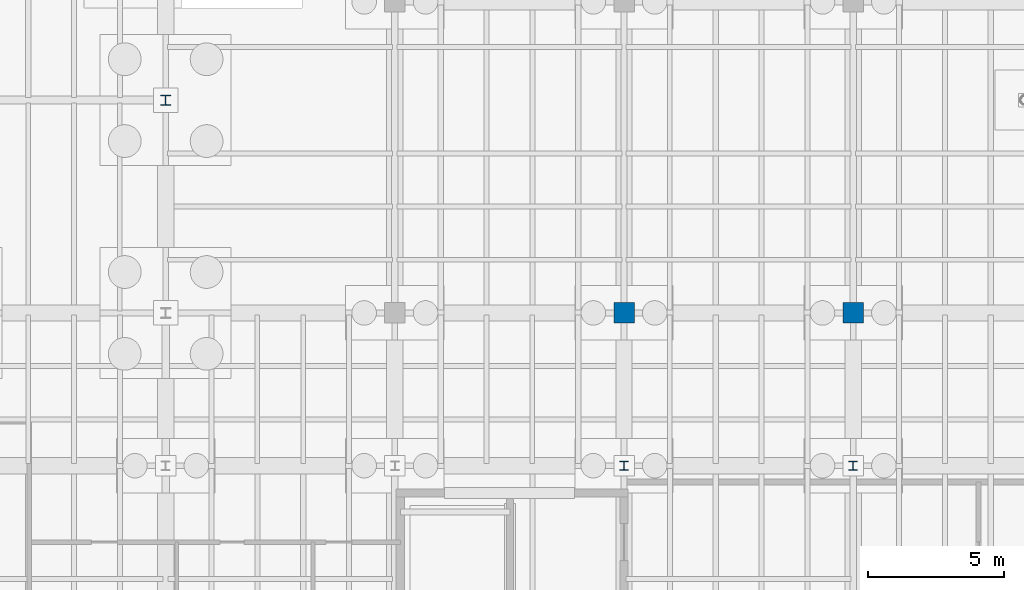
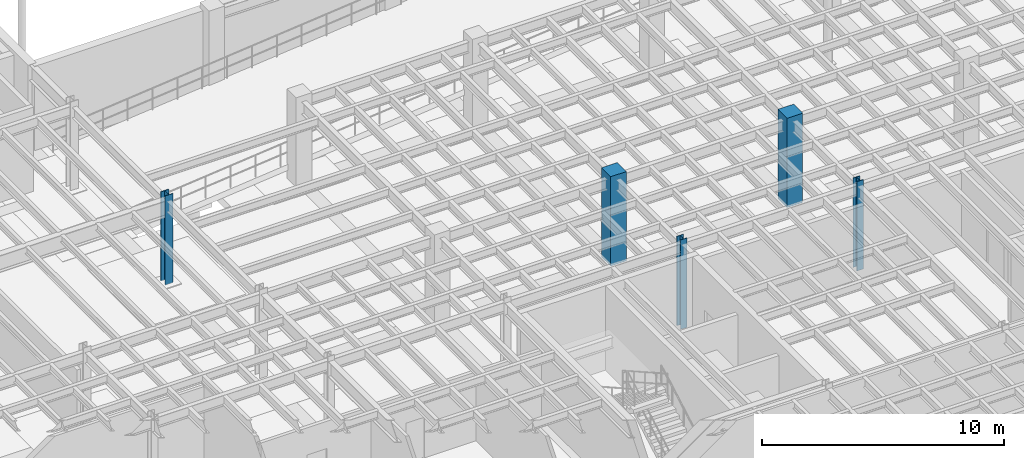
# One storey, part 12 of 41: 5 columns.
"""IFC4 building model written with IfcOpenShell, lengths in metres."""

from ifc_helpers import new_model, si_unit, direction, frame, origin, origin_2d, place, context, subcontext, project, spatial, rectangle, i_section, extrude, material, material_profile, profile_set, type_object, element, save


model = new_model("IFC4")

# Units and contexts
model_context = context("Model", 3, precision=1e-05, world=origin(), true_north=direction((0.0, 1.0)))
body_context = subcontext(model_context, "Body", "Model", "MODEL_VIEW")
ifc_project = project(units=[si_unit("LENGTHUNIT", "METRE"), si_unit("AREAUNIT", "SQUARE_METRE"), si_unit("VOLUMEUNIT", "CUBIC_METRE"), si_unit("PLANEANGLEUNIT", "RADIAN"), si_unit("MASSUNIT", "GRAM", prefix="KILO")], contexts=[model_context])

# Site, building, storey
site_placement = place(None, origin())
site = spatial("IfcSite", under=ifc_project, at=site_placement, CompositionType="ELEMENT")
building_placement = place(site_placement, origin())
building = spatial("IfcBuilding", under=site, at=building_placement, Name="Selat Folded Stagehouse", CompositionType="ELEMENT")
storey_placement = place(building_placement, frame((0.0, 0.0, -4.5)))
storey = spatial("IfcBuildingStorey", under=building, at=storey_placement, Name="B1", CompositionType="ELEMENT", Elevation=-4.5)

# Columns
ifc_material_1 = material(Name="Concrete C50/60", Category="concrete")
ifc_material_profile_1 = material_profile(ifc_material_1, rectangle(XDim=0.75, YDim=0.75, at=origin_2d()), Name="RC 750x750")
ifc_profile_set_1 = profile_set([ifc_material_profile_1], Name="Concrete C50/60")
column_type_1 = type_object("IfcColumnType", Name="COL-RC-750x750", PredefinedType="COLUMN", material=ifc_profile_set_1)
for number, where, z_axis, x_axis, name in (
    (1, (84.0, 23.39990234375, 0.0), (0.0, 0.0, 1.0), (1.0, 0.0, 0.0), "B1 column STK-B1CP-84-234"),
    (2, (92.39990234375, 23.39990234375, 0.0), (0.0, 0.0, 1.0), (1.0, 0.0, 0.0), "B1 column STK-B1CP-92-234"),
):
    element("IfcColumn", number, at=place(storey_placement, frame(where, z_axis=z_axis, x_axis=x_axis)), inside=storey, type_object=column_type_1, Name=name, PredefinedType="COLUMN", context=body_context, shape_type="SweptSolid", body=[
        extrude(rectangle(XDim=0.75, YDim=0.75, at=origin_2d()), origin(), (0.0, 0.0, 1.0), 4.5),
    ])
ifc_material_2 = material(Name="Steel S355", Category="steel")
ifc_material_profile_2 = material_profile(ifc_material_2, i_section(OverallWidth=0.311279296875, OverallDepth=0.3271484375, WebThickness=0.015869140625, FlangeThickness=0.02490234375, FilletRadius=0.01513671875, at=origin_2d()), Name="UKC 305x305x158")
ifc_profile_set_2 = profile_set([ifc_material_profile_2], Name="Steel S355")
column_type_2 = type_object("IfcColumnType", Name="COL-UKC-305x305x158", PredefinedType="COLUMN", material=ifc_profile_set_2)
for number, where, z_axis, x_axis, name in (
    (3, (84.0, 17.800048828125, 0.0), (0.0, 0.0, 1.0), (1.0, 0.0, 0.0), "B1 column STK-V5-84-178"),
    (4, (92.39990234375, 17.800048828125, 0.0), (0.0, 0.0, 1.0), (1.0, 0.0, 0.0), "B1 column STK-V5-92-178"),
):
    element("IfcColumn", number, at=place(storey_placement, frame(where, z_axis=z_axis, x_axis=x_axis)), inside=storey, type_object=column_type_2, Name=name, PredefinedType="COLUMN", context=body_context, shape_type="SweptSolid", body=[
        extrude(i_section(OverallWidth=0.311279296875, OverallDepth=0.3271484375, WebThickness=0.015869140625, FlangeThickness=0.02490234375, FilletRadius=0.01513671875, at=origin_2d()), origin(), (0.0, 0.0, 1.0), 4.5),
    ])
ifc_material_profile_3 = material_profile(ifc_material_2, i_section(OverallWidth=0.374755859375, OverallDepth=0.37451171875, WebThickness=0.0166015625, FlangeThickness=0.027099609375, FilletRadius=0.01513671875, at=origin_2d()), Name="UKC 356x368x202")
ifc_profile_set_3 = profile_set([ifc_material_profile_3], Name="Steel S355")
column_type_3 = type_object("IfcColumnType", Name="COL-UKC-356x368x202", PredefinedType="COLUMN", material=ifc_profile_set_3)
column_placement = place(storey_placement, frame((67.199951171875, 31.199951171875, 0.0), z_axis=(0.0, 0.0, 1.0), x_axis=(1.0, 0.0, 0.0)))
element("IfcColumn", 5, at=column_placement, inside=storey, type_object=column_type_3, Name="B1 column STK-V2-22", PredefinedType="COLUMN", context=body_context, shape_type="SweptSolid", body=[
    extrude(i_section(OverallWidth=0.374755859375, OverallDepth=0.37451171875, WebThickness=0.0166015625, FlangeThickness=0.027099609375, FilletRadius=0.01513671875, at=origin_2d()), origin(), (0.0, 0.0, 1.0), 4.5),
])

save(model, "model.ifc")
